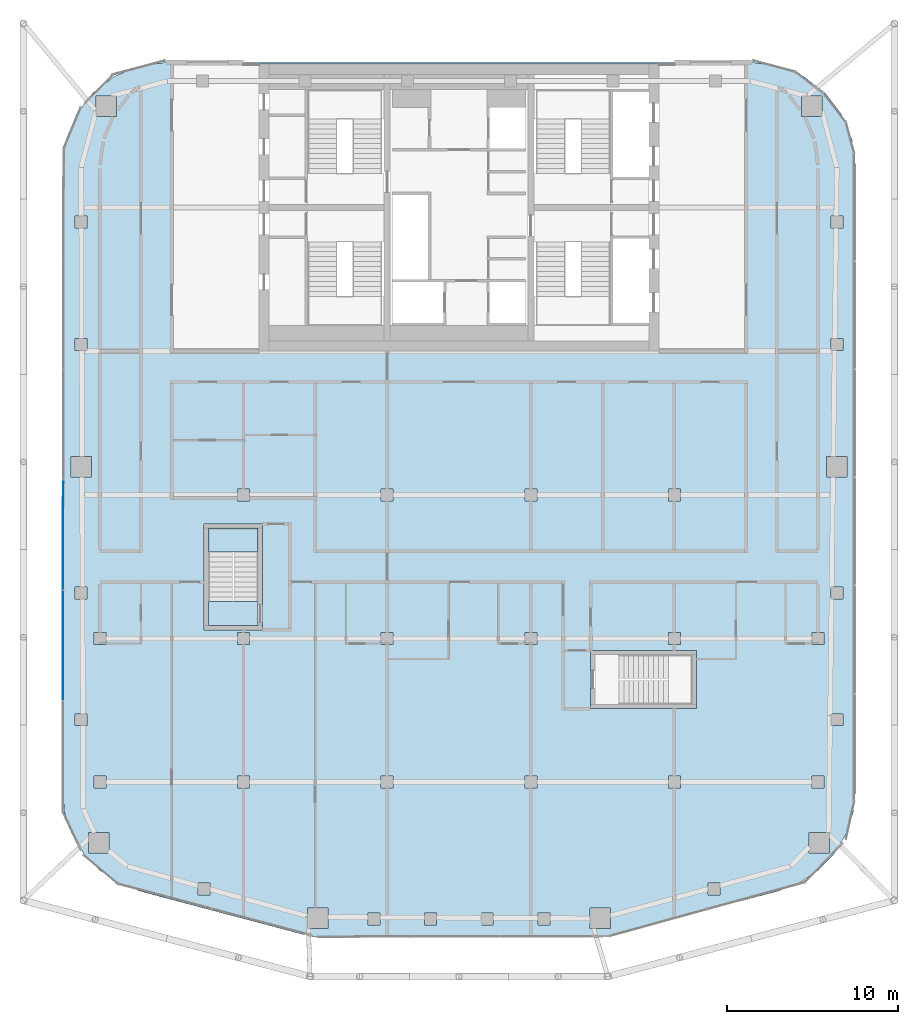
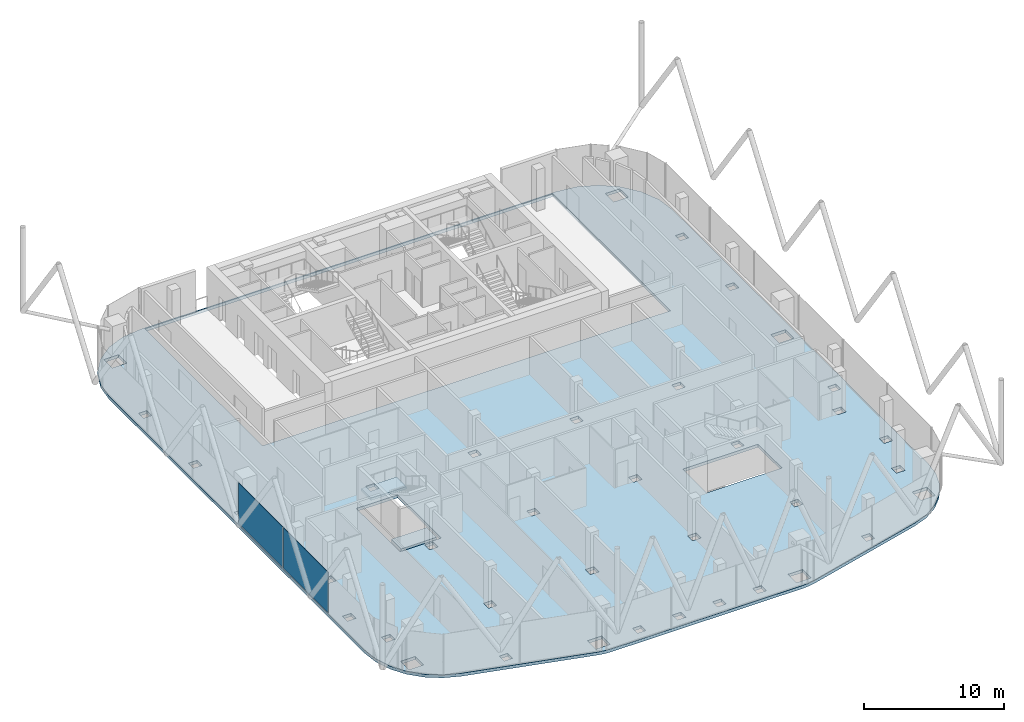
# One storey, part 16 of 27: 3 slabs, 2 plates, 2 elements without a shape of their own.
"""IFC4 building model written with IfcOpenShell, lengths in metres."""

from ifc_helpers import new_model, si_unit, direction, frame, origin, origin_2d, place, context, subcontext, project, spatial, polyline, rectangle, outline, extrude, material, layer, layer_set, type_object, element, aggregate, save


model = new_model("IFC4")

# Units and contexts
model_context = context("Model", 3, precision=1e-05, world=origin(), true_north=direction((0.0, 1.0)))
body_context = subcontext(model_context, "Body", "Model", "MODEL_VIEW")
ifc_project = project(units=[si_unit("LENGTHUNIT", "METRE"), si_unit("AREAUNIT", "SQUARE_METRE"), si_unit("VOLUMEUNIT", "CUBIC_METRE"), si_unit("PLANEANGLEUNIT", "RADIAN"), si_unit("MASSUNIT", "GRAM", prefix="KILO")], contexts=[model_context])

# Site, building, storey
site_placement = place(None, origin())
site = spatial("IfcSite", under=ifc_project, at=site_placement, CompositionType="ELEMENT")
building_placement = place(site_placement, origin())
building = spatial("IfcBuilding", under=site, at=building_placement, Name="Marenta Gate Hotel Tower", CompositionType="ELEMENT")
storey_placement = place(building_placement, frame((0.0, 0.0, 270.5)))
storey = spatial("IfcBuildingStorey", under=building, at=storey_placement, Name="L62", CompositionType="ELEMENT", Elevation=270.5)

# Slab
ifc_material_1 = material(Name="Concrete C35", Category="concrete")
ifc_layer_1 = layer(ifc_material_1, 0.260009765625)
ifc_layer_set_1 = layer_set([ifc_layer_1], Name="Concrete C35")
slab_type_1 = type_object("IfcSlabType", Name="Concrete floor slab 260", PredefinedType="FLOOR", material=ifc_layer_set_1)
slab_1_placement = place(storey_placement, frame((0.0, 0.0, -0.260009765625)))
element("IfcSlab", 1, at=slab_1_placement, inside=storey, type_object=slab_type_1, Name="L62-SL-1", PredefinedType="FLOOR", context=body_context, shape_type="SweptSolid", body=[
    extrude(outline(polyline([(-21.013671875, -30.364013671875), (-21.935302734375, -29.404052734375), (-22.626953125, -28.26708984375), (-23.055419921875, -27.007080078125), (-23.199951171875, -25.689697265625), (-23.199951171875, 10.806640625), (-22.992919921875, 12.37890625), (-22.383544921875, 13.850341796875), (-21.413818359375, 15.114013671875), (-20.150390625, 16.08349609375), (-18.678955078125, 16.693115234375), (-17.1064453125, 16.89990234375), (17.1064453125, 16.89990234375), (18.678955078125, 16.693115234375), (20.150390625, 16.08349609375), (21.413818359375, 15.114013671875), (22.383544921875, 13.850341796875), (22.992919921875, 12.37890625), (23.199951171875, 10.806640625), (23.199951171875, -25.689697265625), (23.055419921875, -27.007080078125), (22.626953125, -28.26708984375), (21.935302734375, -29.404052734375), (21.013671875, -30.364013671875), (19.90576171875, -31.101318359375), (18.66943359375, -31.578857421875), (8.926513671875, -34.16357421875), (8.408447265625, -34.265869140625), (7.881591796875, -34.300048828125), (-7.881591796875, -34.300048828125), (-8.408447265625, -34.265869140625), (-8.926513671875, -34.16357421875), (-18.66943359375, -31.578857421875), (-19.90576171875, -31.101318359375), (-21.013671875, -30.364013671875)]), holes=[polyline([(-16.800048828125, 0.0), (16.800048828125, 0.0), (16.800048828125, 16.800048828125), (-16.800048828125, 16.800048828125), (-16.800048828125, 0.0)]), polyline([(-14.556884765625, -31.089111328125), (-15.2568359375, -31.089111328125), (-15.2568359375, -31.7890625), (-14.556884765625, -31.7890625), (-14.556884765625, -31.089111328125)]), polyline([(-20.462890625, -28.133056640625), (-21.6630859375, -28.133056640625), (-21.6630859375, -29.3330078125), (-20.462890625, -29.3330078125), (-20.462890625, -28.133056640625)]), polyline([(-20.64990234375, -24.85009765625), (-21.35009765625, -24.85009765625), (-21.35009765625, -25.550048828125), (-20.64990234375, -25.550048828125), (-20.64990234375, -24.85009765625)]), polyline([(-12.25, -25.550048828125), (-12.25, -24.85009765625), (-12.949951171875, -24.85009765625), (-12.949951171875, -25.550048828125), (-12.25, -25.550048828125)]), polyline([(-21.75, -21.90185546875), (-21.75, -21.201904296875), (-22.449951171875, -21.201904296875), (-22.449951171875, -21.90185546875), (-21.75, -21.90185546875)]), polyline([(-20.64990234375, -16.449951171875), (-21.35009765625, -16.449951171875), (-21.35009765625, -17.14990234375), (-20.64990234375, -17.14990234375), (-20.64990234375, -16.449951171875)]), polyline([(-12.25, -17.14990234375), (-12.25, -16.449951171875), (-12.949951171875, -16.449951171875), (-12.949951171875, -17.14990234375), (-12.25, -17.14990234375)]), polyline([(-21.75, -14.5009765625), (-21.75, -13.80078125), (-22.449951171875, -13.80078125), (-22.449951171875, -14.5009765625), (-21.75, -14.5009765625)]), polyline([(-12.25, -8.050048828125), (-12.949951171875, -8.050048828125), (-12.949951171875, -8.75), (-12.25, -8.75), (-12.25, -8.050048828125)]), polyline([(-21.5, -7.35009765625), (-21.5, -6.14990234375), (-22.699951171875, -6.14990234375), (-22.699951171875, -7.35009765625), (-21.5, -7.35009765625)]), polyline([(-21.75, 0.05322265625), (-21.75, 0.753173828125), (-22.449951171875, 0.753173828125), (-22.449951171875, 0.05322265625), (-21.75, 0.05322265625)]), polyline([(-21.75, 7.906494140625), (-22.449951171875, 7.906494140625), (-22.449951171875, 7.206298828125), (-21.75, 7.206298828125), (-21.75, 7.906494140625)]), polyline([(-20.035400390625, 14.935546875), (-21.235595703125, 14.935546875), (-21.235595703125, 13.735595703125), (-20.035400390625, 13.735595703125), (-20.035400390625, 14.935546875)]), polyline([(-4.610107421875, -33.550048828125), (-4.610107421875, -32.85009765625), (-5.31005859375, -32.85009765625), (-5.31005859375, -33.550048828125), (-4.610107421875, -33.550048828125)]), polyline([(-1.303466796875, -32.85009765625), (-2.00341796875, -32.85009765625), (-2.00341796875, -33.550048828125), (-1.303466796875, -33.550048828125), (-1.303466796875, -32.85009765625)]), polyline([(2.00341796875, -33.550048828125), (2.00341796875, -32.85009765625), (1.303466796875, -32.85009765625), (1.303466796875, -33.550048828125), (2.00341796875, -33.550048828125)]), polyline([(5.31005859375, -33.550048828125), (5.31005859375, -32.85009765625), (4.610107421875, -32.85009765625), (4.610107421875, -33.550048828125), (5.31005859375, -33.550048828125)]), polyline([(-7.666259765625, -32.57470703125), (-8.8662109375, -32.57470703125), (-8.8662109375, -33.77490234375), (-7.666259765625, -33.77490234375), (-7.666259765625, -32.57470703125)]), polyline([(8.8662109375, -33.77490234375), (8.8662109375, -32.57470703125), (7.666259765625, -32.57470703125), (7.666259765625, -33.77490234375), (8.8662109375, -33.77490234375)]), polyline([(-3.85009765625, -25.550048828125), (-3.85009765625, -24.85009765625), (-4.550048828125, -24.85009765625), (-4.550048828125, -25.550048828125), (-3.85009765625, -25.550048828125)]), polyline([(4.550048828125, -24.85009765625), (3.85009765625, -24.85009765625), (3.85009765625, -25.550048828125), (4.550048828125, -25.550048828125), (4.550048828125, -24.85009765625)]), polyline([(-3.85009765625, -16.449951171875), (-4.550048828125, -16.449951171875), (-4.550048828125, -17.14990234375), (-3.85009765625, -17.14990234375), (-3.85009765625, -16.449951171875)]), polyline([(4.550048828125, -16.449951171875), (3.85009765625, -16.449951171875), (3.85009765625, -17.14990234375), (4.550048828125, -17.14990234375), (4.550048828125, -16.449951171875)]), polyline([(-3.85009765625, -8.75), (-3.85009765625, -8.050048828125), (-4.550048828125, -8.050048828125), (-4.550048828125, -8.75), (-3.85009765625, -8.75)]), polyline([(4.550048828125, -8.75), (4.550048828125, -8.050048828125), (3.85009765625, -8.050048828125), (3.85009765625, -8.75), (4.550048828125, -8.75)]), polyline([(15.2568359375, -31.089111328125), (14.556884765625, -31.089111328125), (14.556884765625, -31.7890625), (15.2568359375, -31.7890625), (15.2568359375, -31.089111328125)]), polyline([(21.6630859375, -29.3330078125), (21.6630859375, -28.133056640625), (20.462890625, -28.133056640625), (20.462890625, -29.3330078125), (21.6630859375, -29.3330078125)]), polyline([(12.949951171875, -25.550048828125), (12.949951171875, -24.85009765625), (12.25, -24.85009765625), (12.25, -25.550048828125), (12.949951171875, -25.550048828125)]), polyline([(21.35009765625, -24.85009765625), (20.64990234375, -24.85009765625), (20.64990234375, -25.550048828125), (21.35009765625, -25.550048828125), (21.35009765625, -24.85009765625)]), polyline([(22.449951171875, -21.201904296875), (21.75, -21.201904296875), (21.75, -21.90185546875), (22.449951171875, -21.90185546875), (22.449951171875, -21.201904296875)]), polyline([(12.949951171875, -16.449951171875), (12.25, -16.449951171875), (12.25, -17.14990234375), (12.949951171875, -17.14990234375), (12.949951171875, -16.449951171875)]), polyline([(21.35009765625, -17.14990234375), (21.35009765625, -16.449951171875), (20.64990234375, -16.449951171875), (20.64990234375, -17.14990234375), (21.35009765625, -17.14990234375)]), polyline([(22.449951171875, -14.5009765625), (22.449951171875, -13.80078125), (21.75, -13.80078125), (21.75, -14.5009765625), (22.449951171875, -14.5009765625)]), polyline([(12.949951171875, -8.050048828125), (12.25, -8.050048828125), (12.25, -8.75), (12.949951171875, -8.75), (12.949951171875, -8.050048828125)]), polyline([(22.699951171875, -7.35009765625), (22.699951171875, -6.14990234375), (21.5, -6.14990234375), (21.5, -7.35009765625), (22.699951171875, -7.35009765625)]), polyline([(22.449951171875, 0.05322265625), (22.449951171875, 0.753173828125), (21.75, 0.753173828125), (21.75, 0.05322265625), (22.449951171875, 0.05322265625)]), polyline([(22.449951171875, 7.906494140625), (21.75, 7.906494140625), (21.75, 7.206298828125), (22.449951171875, 7.206298828125), (22.449951171875, 7.906494140625)]), polyline([(21.235595703125, 13.735595703125), (21.235595703125, 14.935546875), (20.035400390625, 14.935546875), (20.035400390625, 13.735595703125), (21.235595703125, 13.735595703125)]), polyline([(13.89990234375, -20.89990234375), (13.89990234375, -17.5), (7.699951171875, -17.5), (7.699951171875, -20.89990234375), (13.89990234375, -20.89990234375)]), polyline([(-11.5, -16.300048828125), (-11.5, -10.10009765625), (-14.89990234375, -10.10009765625), (-14.89990234375, -16.300048828125), (-11.5, -16.300048828125)])]), origin(), (0.0, 0.0, 1.0), 0.260009765625),
])

# Curtain wall, plates
ifc_material_2 = material(Name="Tinted insulated glass in bronze anodised frame", Category="glass")
ifc_layer_2 = layer(ifc_material_2, 0.1201171875)
ifc_layer_set_2 = layer_set([ifc_layer_2], Name="Tinted insulated glass in bronze anodised frame")
curtain_wall_type = type_object("IfcCurtainWallType", Name="Tower unitised curtain wall CW1", PredefinedType="NOTDEFINED", material=ifc_layer_set_2)
curtain_wall_placement = place(storey_placement, origin())
curtain_wall = element("IfcCurtainWall", 2, at=curtain_wall_placement, inside=storey, type_object=curtain_wall_type, Name="CW1 run G04", PredefinedType="NOTDEFINED")
ifc_material_3 = material(Name="Tinted insulated glass", Category="glass")
ifc_layer_3 = layer(ifc_material_3, 0.028076171875)
ifc_layer_set_3 = layer_set([ifc_layer_3], Name="Tinted insulated glass")
plate_type = type_object("IfcPlateType", Name="Glass panel CW1 28 mm tinted insulated unit", PredefinedType="CURTAIN_PANEL", material=ifc_layer_set_3)
plate_1_placement = place(storey_placement, frame((-23.147705078125, -10.743896484375, 0.06005859375), z_axis=(0.0, 0.0, 1.0), x_axis=(-0.001566045546, -0.99999877375, 0.0)))
plate_1 = element("IfcPlate", 3, at=plate_1_placement, type_object=plate_type, Name="CW1 panel 4.1", PredefinedType="CURTAIN_PANEL", context=body_context, shape_type="SweptSolid", body=[
    extrude(rectangle(XDim=6.39990234375, YDim=0.028076171875, at=origin_2d()), origin(), (0.0, 0.0, 1.0), 3.5400390625),
])
plate_2_placement = place(storey_placement, frame((-23.15771484375, -17.203857421875, 0.06005859375), z_axis=(0.0, 0.0, 1.0), x_axis=(-0.001566045546, -0.99999877375, 0.0)))
plate_2 = element("IfcPlate", 4, at=plate_2_placement, type_object=plate_type, Name="CW1 panel 5.1", PredefinedType="CURTAIN_PANEL", context=body_context, shape_type="SweptSolid", body=[
    extrude(rectangle(XDim=6.39990234375, YDim=0.028076171875, at=origin_2d()), origin(), (0.0, 0.0, 1.0), 3.5400390625),
])
aggregate(curtain_wall, [plate_1, plate_2])

# Stair, slab
ifc_material_4 = material(Name="Concrete C40", Category="concrete")
stair_type = type_object("IfcStairType", Name="Remote exit stair 1400 wide", PredefinedType="HALF_TURN_STAIR", material=ifc_material_4)
stair_placement = place(storey_placement, origin())
stair = element("IfcStair", 5, at=stair_placement, inside=storey, type_object=stair_type, Name="Exit stair RS-Z4-2", PredefinedType="HALF_TURN_STAIR")
ifc_material_5 = material(Name="Concrete C40", Category="concrete")
ifc_layer_4 = layer(ifc_material_5, 0.199951171875)
ifc_layer_set_4 = layer_set([ifc_layer_4], Name="Concrete C40")
slab_type_2 = type_object("IfcSlabType", Name="Remote stair landing 200", PredefinedType="LANDING", material=ifc_layer_set_4)
slab_2_placement = place(storey_placement, frame((0.0, 0.0, 1.60009765625)))
slab_2 = element("IfcSlab", 6, at=slab_2_placement, type_object=slab_type_2, Name="RL-200 RS-Z4-2 landing 1", PredefinedType="LANDING", context=body_context, shape_type="SweptSolid", body=[
    extrude(outline(polyline([(-14.64990234375, -11.75), (-11.75, -11.75), (-11.75, -10.35009765625), (-14.64990234375, -10.35009765625), (-14.64990234375, -11.75)])), origin(), (0.0, 0.0, 1.0), 0.199951171875),
])
aggregate(stair, [slab_2])

# Slab
ifc_material_6 = material(Name="Concrete C40", Category="concrete")
ifc_layer_5 = layer(ifc_material_6, 0.300048828125)
ifc_layer_set_5 = layer_set([ifc_layer_5], Name="Concrete C40")
slab_type_3 = type_object("IfcSlabType", Name="Stair floor landing slab 300", PredefinedType="FLOOR", material=ifc_layer_set_5)
slab_3_placement = place(storey_placement, frame((0.0, 0.0, -0.300048828125)))
element("IfcSlab", 7, at=slab_3_placement, inside=storey, type_object=slab_type_3, Name="L62-RS-Z4-2-CL", PredefinedType="FLOOR", context=body_context, shape_type="SweptSolid", body=[
    extrude(outline(polyline([(-11.75, -16.050048828125), (-11.75, -14.64990234375), (-14.64990234375, -14.64990234375), (-14.64990234375, -16.050048828125), (-11.75, -16.050048828125)])), origin(), (0.0, 0.0, 1.0), 0.300048828125),
])

save(model, "model.ifc")
